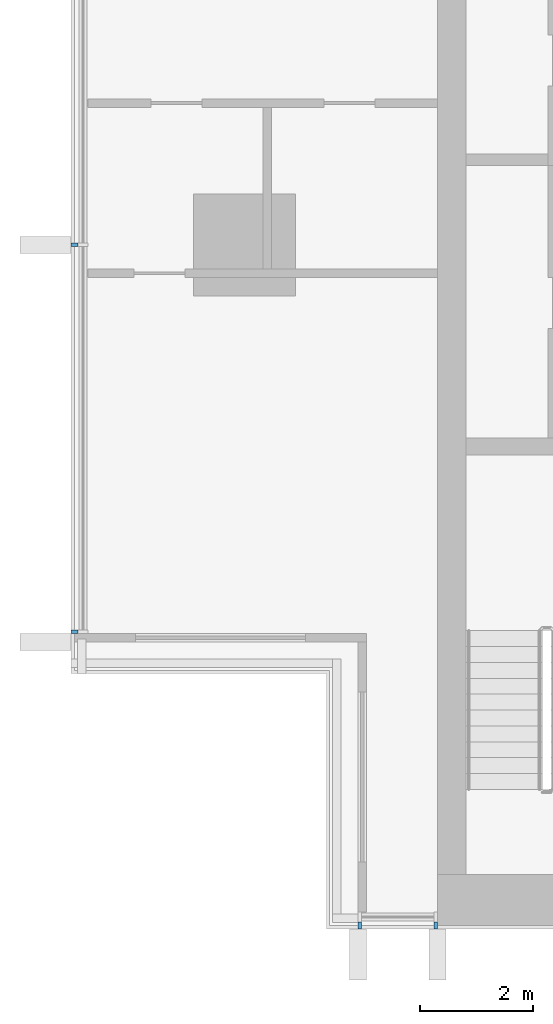
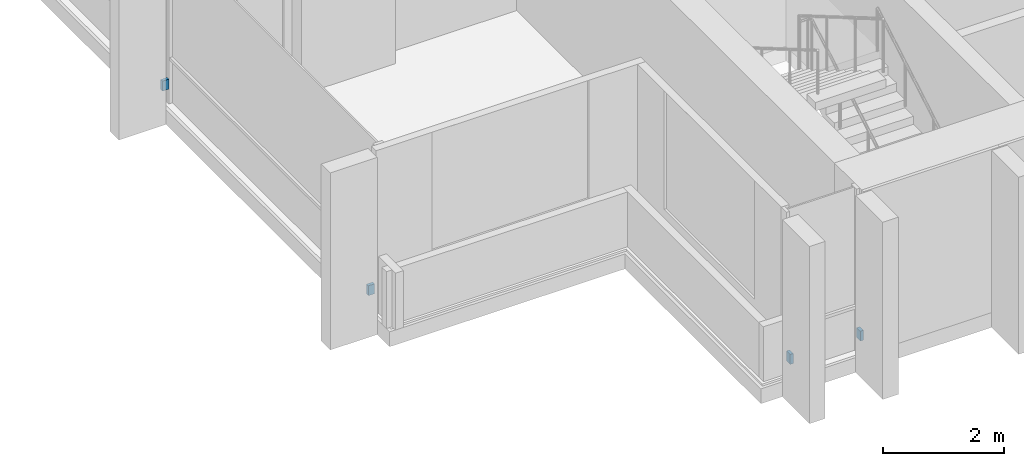
# One storey, part 12 of 16: 4 discrete accessories.
"""IFC4 building model written with IfcOpenShell, lengths in metres."""

from ifc_helpers import new_model, si_unit, direction, frame, origin, origin_2d, place, context, subcontext, project, spatial, rectangle, extrude, material, type_object, element, save


model = new_model("IFC4")

# Units and contexts
model_context = context("Model", 3, precision=1e-05, world=origin(), true_north=direction((0.0, 1.0)))
body_context = subcontext(model_context, "Body", "Model", "MODEL_VIEW")
ifc_project = project(units=[si_unit("LENGTHUNIT", "METRE"), si_unit("AREAUNIT", "SQUARE_METRE"), si_unit("VOLUMEUNIT", "CUBIC_METRE"), si_unit("PLANEANGLEUNIT", "RADIAN"), si_unit("MASSUNIT", "GRAM", prefix="KILO")], contexts=[model_context])

# Site, building, storey
site_placement = place(None, origin())
site = spatial("IfcSite", under=ifc_project, at=site_placement, CompositionType="ELEMENT")
building_placement = place(site_placement, origin())
building = spatial("IfcBuilding", under=site, at=building_placement, Name="Finial Court Residences", CompositionType="ELEMENT")
storey_placement = place(building_placement, frame((0.0, 0.0, 255.5)))
storey = spatial("IfcBuildingStorey", under=building, at=storey_placement, Name="L64", CompositionType="ELEMENT", Elevation=255.5)

# Discrete accessories
ifc_material = material(Name="Stainless steel 316", Category="steel")
discrete_accessory_type = type_object("IfcDiscreteAccessoryType", Name="Fin bracket, stainless steel 60 x 122 x 200", PredefinedType="BRACKET", material=ifc_material)
for number, where, z_axis, x_axis, name in (
    (1, (-14.469970703125, -25.498779296875, 0.2998046875), (0.0, 0.0, 1.0), (1.0, 0.0, 0.0), "E-L64-FIN-S13-BRK"),
    (2, (-13.1298828125, -25.498779296875, 0.2998046875), (0.0, 0.0, 1.0), (1.0, 0.0, 0.0), "E-L64-FIN-S14-BRK"),
):
    element("IfcDiscreteAccessory", number, at=place(storey_placement, frame(where, z_axis=z_axis, x_axis=x_axis)), inside=storey, type_object=discrete_accessory_type, Name=name, PredefinedType="BRACKET", context=body_context, shape_type="SweptSolid", body=[
        extrude(rectangle(XDim=0.06005859375, YDim=0.12255859375, at=origin_2d()), origin(), (0.0, 0.0, 1.0), 0.199951171875),
    ])
for number, where, z_axis, x_axis, name in (
    (3, (-19.498779296875, -20.320068359375, 0.2998046875), (0.0, 0.0, 1.0), (1.0, 0.0, 0.0), "E-L64-FIN-W21-BRK"),
    (4, (-19.498779296875, -13.5, 0.2998046875), (0.0, 0.0, 1.0), (1.0, 0.0, 0.0), "E-L64-FIN-W22-BRK"),
):
    element("IfcDiscreteAccessory", number, at=place(storey_placement, frame(where, z_axis=z_axis, x_axis=x_axis)), inside=storey, type_object=discrete_accessory_type, Name=name, PredefinedType="BRACKET", context=body_context, shape_type="SweptSolid", body=[
        extrude(rectangle(XDim=0.12255859375, YDim=0.06005859375, at=origin_2d()), origin(), (0.0, 0.0, 1.0), 0.199951171875),
    ])

save(model, "model.ifc")
